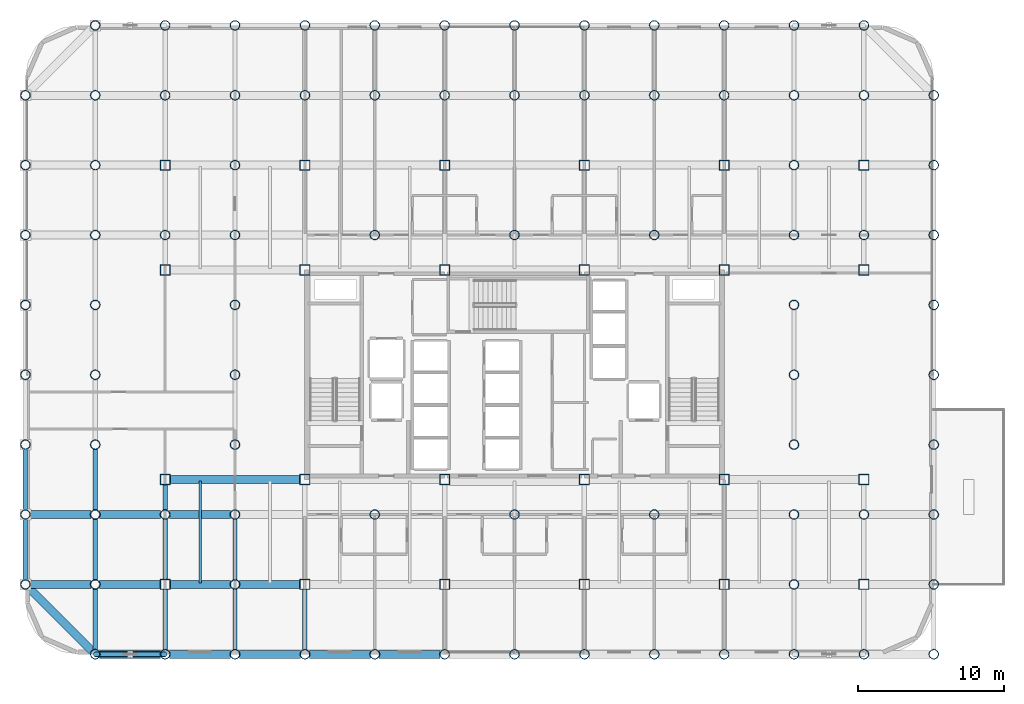
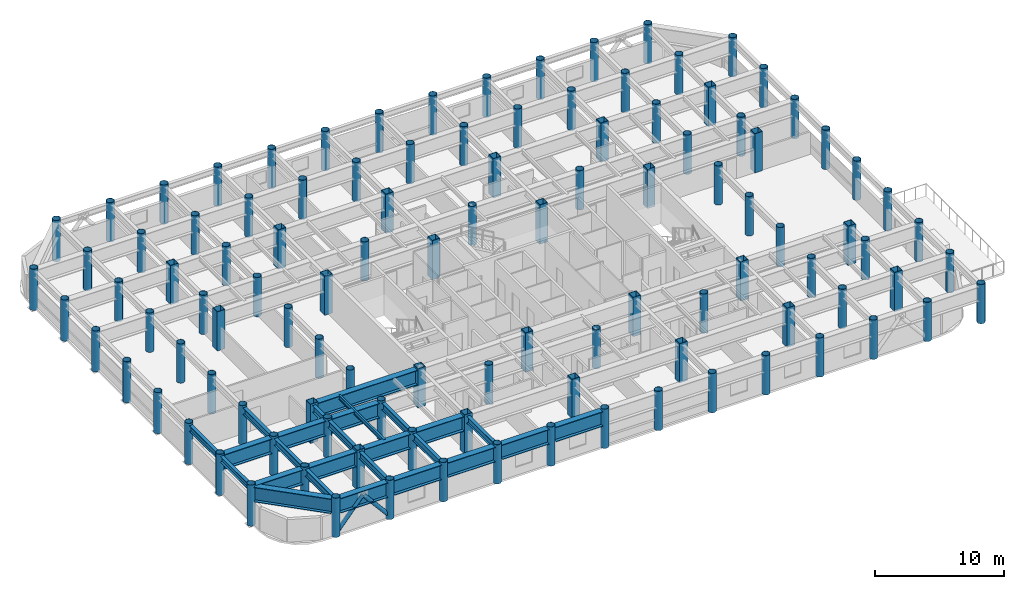
# One storey, part 1 of 23: 108 columns, 26 beams, 2 members.
"""IFC4 building model written with IfcOpenShell, lengths in metres."""

from ifc_helpers import new_model, si_unit, direction, frame, origin, origin_2d, place, context, subcontext, project, spatial, hollow_rectangle, hollow_circle, i_section, extrude, material, material_profile, profile_set, type_object, element, save


model = new_model("IFC4")

# Units and contexts
model_context = context("Model", 3, precision=1e-05, world=origin(), true_north=direction((0.0, 1.0)))
body_context = subcontext(model_context, "Body", "Model", "MODEL_VIEW")
ifc_project = project(units=[si_unit("LENGTHUNIT", "METRE"), si_unit("AREAUNIT", "SQUARE_METRE"), si_unit("VOLUMEUNIT", "CUBIC_METRE"), si_unit("PLANEANGLEUNIT", "RADIAN"), si_unit("MASSUNIT", "GRAM", prefix="KILO")], contexts=[model_context])

# Site, building, storey
site_placement = place(None, origin())
site = spatial("IfcSite", under=ifc_project, at=site_placement, CompositionType="ELEMENT")
building_placement = place(site_placement, origin())
building = spatial("IfcBuilding", under=site, at=building_placement, Name="Kallvorn Hotel Tower", CompositionType="ELEMENT")
storey_placement = place(building_placement, frame((0.0, 0.0, 124.800048828125)))
storey = spatial("IfcBuildingStorey", under=building, at=storey_placement, Name="L30", CompositionType="ELEMENT", Elevation=124.800048828125)

# Columns
ifc_material_1 = material(Name="Structural steel S355J2H", Category="steel")
ifc_material_profile_1 = material_profile(ifc_material_1, hollow_circle(Radius=0.330078125, WallThickness=0.028076171875, at=origin_2d()), Name="CHS 660x28")
ifc_profile_set_1 = profile_set([ifc_material_profile_1], Name="Structural steel S355J2H")
column_type_1 = type_object("IfcColumnType", Name="COL_CHS_660", PredefinedType="COLUMN", material=ifc_profile_set_1)
for number, where, z_axis, x_axis, name in (
    (1, (-33.60009765625, -14.39990234375, -0.179931640625), (0.0, 0.0, 1.0), (1.0, 0.0, 0.0), "L30 Exoskeleton Column EC01"),
    (2, (-33.60009765625, -9.60009765625, -0.179931640625), (0.0, 0.0, 1.0), (1.0, 0.0, 0.0), "L30 Exoskeleton Column EC02"),
    (3, (-33.60009765625, -4.800048828125, -0.179931640625), (0.0, 0.0, 1.0), (1.0, 0.0, 0.0), "L30 Exoskeleton Column EC03"),
    (4, (-33.60009765625, 0.0, -0.179931640625), (0.0, 0.0, 1.0), (1.0, 0.0, 0.0), "L30 Exoskeleton Column EC04"),
    (5, (-33.60009765625, 4.800048828125, -0.179931640625), (0.0, 0.0, 1.0), (1.0, 0.0, 0.0), "L30 Exoskeleton Column EC05"),
    (6, (-33.60009765625, 9.60009765625, -0.179931640625), (0.0, 0.0, 1.0), (1.0, 0.0, 0.0), "L30 Exoskeleton Column EC06"),
    (7, (-33.60009765625, 14.39990234375, -0.179931640625), (0.0, 0.0, 1.0), (1.0, 0.0, 0.0), "L30 Exoskeleton Column EC07"),
    (8, (-33.60009765625, 19.199951171875, -0.179931640625), (0.0, 0.0, 1.0), (1.0, 0.0, 0.0), "L30 Exoskeleton Column EC08"),
):
    element("IfcColumn", number, at=place(storey_placement, frame(where, z_axis=z_axis, x_axis=x_axis)), inside=storey, type_object=column_type_1, Name=name, PredefinedType="COLUMN", context=body_context, shape_type="SweptSolid", body=[
        extrude(hollow_circle(Radius=0.330078125, WallThickness=0.028076171875, at=origin_2d()), origin(), (0.0, 0.0, 1.0), 3.8798828125),
    ])
for number, where, z_axis, x_axis, name in (
    (9, (-28.800048828125, -19.199951171875, 0.0), (0.0, 0.0, 1.0), (1.0, 0.0, 0.0), "L30 Exoskeleton Column EC09"),
    (10, (-28.800048828125, -14.39990234375, 0.0), (0.0, 0.0, 1.0), (1.0, 0.0, 0.0), "L30 Exoskeleton Column EC10"),
    (11, (-28.800048828125, -9.60009765625, 0.0), (0.0, 0.0, 1.0), (1.0, 0.0, 0.0), "L30 Exoskeleton Column EC11"),
    (12, (-28.800048828125, -4.800048828125, 0.0), (0.0, 0.0, 1.0), (1.0, 0.0, 0.0), "L30 Exoskeleton Column EC12"),
    (13, (-28.800048828125, 0.0, 0.0), (0.0, 0.0, 1.0), (1.0, 0.0, 0.0), "L30 Exoskeleton Column EC13"),
    (14, (-28.800048828125, 4.800048828125, 0.0), (0.0, 0.0, 1.0), (1.0, 0.0, 0.0), "L30 Exoskeleton Column EC14"),
    (15, (-28.800048828125, 9.60009765625, 0.0), (0.0, 0.0, 1.0), (1.0, 0.0, 0.0), "L30 Exoskeleton Column EC15"),
    (16, (-28.800048828125, 14.39990234375, 0.0), (0.0, 0.0, 1.0), (1.0, 0.0, 0.0), "L30 Exoskeleton Column EC16"),
    (17, (-28.800048828125, 19.199951171875, 0.0), (0.0, 0.0, 1.0), (1.0, 0.0, 0.0), "L30 Exoskeleton Column EC17"),
):
    element("IfcColumn", number, at=place(storey_placement, frame(where, z_axis=z_axis, x_axis=x_axis)), inside=storey, type_object=column_type_1, Name=name, PredefinedType="COLUMN", context=body_context, shape_type="SweptSolid", body=[
        extrude(hollow_circle(Radius=0.330078125, WallThickness=0.028076171875, at=origin_2d()), origin(), (0.0, 0.0, 1.0), 3.699951171875),
    ])
column_placement = place(storey_placement, frame((-28.800048828125, 24.0, -0.179931640625), z_axis=(0.0, 0.0, 1.0), x_axis=(1.0, 0.0, 0.0)))
element("IfcColumn", 18, at=column_placement, inside=storey, type_object=column_type_1, Name="L30 Exoskeleton Column EC18", PredefinedType="COLUMN", context=body_context, shape_type="SweptSolid", body=[
    extrude(hollow_circle(Radius=0.330078125, WallThickness=0.028076171875, at=origin_2d()), origin(), (0.0, 0.0, 1.0), 3.8798828125),
])
for number, where, z_axis, x_axis, name in (
    (19, (-24.0, -19.199951171875, 0.0), (0.0, 0.0, 1.0), (1.0, 0.0, 0.0), "L30 Exoskeleton Column EC19"),
    (20, (-24.0, -9.60009765625, 0.0), (0.0, 0.0, 1.0), (1.0, 0.0, 0.0), "L30 Exoskeleton Column EC20"),
    (21, (-24.0, 9.60009765625, 0.0), (0.0, 0.0, 1.0), (1.0, 0.0, 0.0), "L30 Exoskeleton Column EC21"),
    (22, (-24.0, 19.199951171875, 0.0), (0.0, 0.0, 1.0), (1.0, 0.0, 0.0), "L30 Exoskeleton Column EC22"),
    (23, (-24.0, 24.0, 0.0), (0.0, 0.0, 1.0), (1.0, 0.0, 0.0), "L30 Exoskeleton Column EC23"),
    (24, (-19.199951171875, -19.199951171875, 0.0), (0.0, 0.0, 1.0), (1.0, 0.0, 0.0), "L30 Exoskeleton Column EC24"),
    (25, (-19.199951171875, -14.39990234375, 0.0), (0.0, 0.0, 1.0), (1.0, 0.0, 0.0), "L30 Exoskeleton Column EC25"),
    (26, (-19.199951171875, -9.60009765625, 0.0), (0.0, 0.0, 1.0), (1.0, 0.0, 0.0), "L30 Exoskeleton Column EC26"),
    (27, (-19.199951171875, -4.800048828125, 0.0), (0.0, 0.0, 1.0), (1.0, 0.0, 0.0), "L30 Exoskeleton Column EC27"),
    (28, (-19.199951171875, 0.0, 0.0), (0.0, 0.0, 1.0), (1.0, 0.0, 0.0), "L30 Exoskeleton Column EC28"),
    (29, (-19.199951171875, 4.800048828125, 0.0), (0.0, 0.0, 1.0), (1.0, 0.0, 0.0), "L30 Exoskeleton Column EC29"),
    (30, (-19.199951171875, 9.60009765625, 0.0), (0.0, 0.0, 1.0), (1.0, 0.0, 0.0), "L30 Exoskeleton Column EC30"),
    (31, (-19.199951171875, 14.39990234375, 0.0), (0.0, 0.0, 1.0), (1.0, 0.0, 0.0), "L30 Exoskeleton Column EC31"),
    (32, (-19.199951171875, 19.199951171875, 0.0), (0.0, 0.0, 1.0), (1.0, 0.0, 0.0), "L30 Exoskeleton Column EC32"),
    (33, (-19.199951171875, 24.0, 0.0), (0.0, 0.0, 1.0), (1.0, 0.0, 0.0), "L30 Exoskeleton Column EC33"),
    (34, (-14.39990234375, -19.199951171875, 0.0), (0.0, 0.0, 1.0), (1.0, 0.0, 0.0), "L30 Exoskeleton Column EC34"),
    (35, (-14.39990234375, 19.199951171875, 0.0), (0.0, 0.0, 1.0), (1.0, 0.0, 0.0), "L30 Exoskeleton Column EC35"),
    (36, (-14.39990234375, 24.0, 0.0), (0.0, 0.0, 1.0), (1.0, 0.0, 0.0), "L30 Exoskeleton Column EC36"),
    (37, (-9.60009765625, -19.199951171875, 0.0), (0.0, 0.0, 1.0), (1.0, 0.0, 0.0), "L30 Exoskeleton Column EC37"),
    (38, (-9.60009765625, -9.60009765625, 0.0), (0.0, 0.0, 1.0), (1.0, 0.0, 0.0), "L30 Exoskeleton Column EC38"),
    (39, (-9.60009765625, 9.60009765625, 0.0), (0.0, 0.0, 1.0), (1.0, 0.0, 0.0), "L30 Exoskeleton Column EC39"),
    (40, (-9.60009765625, 19.199951171875, 0.0), (0.0, 0.0, 1.0), (1.0, 0.0, 0.0), "L30 Exoskeleton Column EC40"),
    (41, (-9.60009765625, 24.0, 0.0), (0.0, 0.0, 1.0), (1.0, 0.0, 0.0), "L30 Exoskeleton Column EC41"),
    (42, (-4.800048828125, -19.199951171875, 0.0), (0.0, 0.0, 1.0), (1.0, 0.0, 0.0), "L30 Exoskeleton Column EC42"),
    (43, (-4.800048828125, 19.199951171875, 0.0), (0.0, 0.0, 1.0), (1.0, 0.0, 0.0), "L30 Exoskeleton Column EC43"),
    (44, (-4.800048828125, 24.0, 0.0), (0.0, 0.0, 1.0), (1.0, 0.0, 0.0), "L30 Exoskeleton Column EC44"),
    (45, (0.0, -19.199951171875, 0.0), (0.0, 0.0, 1.0), (1.0, 0.0, 0.0), "L30 Exoskeleton Column EC45"),
    (46, (0.0, -9.60009765625, 0.0), (0.0, 0.0, 1.0), (1.0, 0.0, 0.0), "L30 Exoskeleton Column EC46"),
    (47, (0.0, 9.60009765625, 0.0), (0.0, 0.0, 1.0), (1.0, 0.0, 0.0), "L30 Exoskeleton Column EC47"),
    (48, (0.0, 19.199951171875, 0.0), (0.0, 0.0, 1.0), (1.0, 0.0, 0.0), "L30 Exoskeleton Column EC48"),
    (49, (0.0, 24.0, 0.0), (0.0, 0.0, 1.0), (1.0, 0.0, 0.0), "L30 Exoskeleton Column EC49"),
    (50, (4.800048828125, -19.199951171875, 0.0), (0.0, 0.0, 1.0), (1.0, 0.0, 0.0), "L30 Exoskeleton Column EC50"),
    (51, (4.800048828125, 19.199951171875, 0.0), (0.0, 0.0, 1.0), (1.0, 0.0, 0.0), "L30 Exoskeleton Column EC51"),
    (52, (4.800048828125, 24.0, 0.0), (0.0, 0.0, 1.0), (1.0, 0.0, 0.0), "L30 Exoskeleton Column EC52"),
    (53, (9.60009765625, -19.199951171875, 0.0), (0.0, 0.0, 1.0), (1.0, 0.0, 0.0), "L30 Exoskeleton Column EC53"),
    (54, (9.60009765625, -9.60009765625, 0.0), (0.0, 0.0, 1.0), (1.0, 0.0, 0.0), "L30 Exoskeleton Column EC54"),
    (55, (9.60009765625, 9.60009765625, 0.0), (0.0, 0.0, 1.0), (1.0, 0.0, 0.0), "L30 Exoskeleton Column EC55"),
    (56, (9.60009765625, 19.199951171875, 0.0), (0.0, 0.0, 1.0), (1.0, 0.0, 0.0), "L30 Exoskeleton Column EC56"),
    (57, (9.60009765625, 24.0, 0.0), (0.0, 0.0, 1.0), (1.0, 0.0, 0.0), "L30 Exoskeleton Column EC57"),
    (58, (14.39990234375, -19.199951171875, 0.0), (0.0, 0.0, 1.0), (1.0, 0.0, 0.0), "L30 Exoskeleton Column EC58"),
    (59, (14.39990234375, 19.199951171875, 0.0), (0.0, 0.0, 1.0), (1.0, 0.0, 0.0), "L30 Exoskeleton Column EC59"),
    (60, (14.39990234375, 24.0, 0.0), (0.0, 0.0, 1.0), (1.0, 0.0, 0.0), "L30 Exoskeleton Column EC60"),
    (61, (19.199951171875, -19.199951171875, 0.0), (0.0, 0.0, 1.0), (1.0, 0.0, 0.0), "L30 Exoskeleton Column EC61"),
    (62, (19.199951171875, -14.39990234375, 0.0), (0.0, 0.0, 1.0), (1.0, 0.0, 0.0), "L30 Exoskeleton Column EC62"),
    (63, (19.199951171875, -9.60009765625, 0.0), (0.0, 0.0, 1.0), (1.0, 0.0, 0.0), "L30 Exoskeleton Column EC63"),
    (64, (19.199951171875, -4.800048828125, 0.0), (0.0, 0.0, 1.0), (1.0, 0.0, 0.0), "L30 Exoskeleton Column EC64"),
    (65, (19.199951171875, 0.0, 0.0), (0.0, 0.0, 1.0), (1.0, 0.0, 0.0), "L30 Exoskeleton Column EC65"),
    (66, (19.199951171875, 4.800048828125, 0.0), (0.0, 0.0, 1.0), (1.0, 0.0, 0.0), "L30 Exoskeleton Column EC66"),
    (67, (19.199951171875, 9.60009765625, 0.0), (0.0, 0.0, 1.0), (1.0, 0.0, 0.0), "L30 Exoskeleton Column EC67"),
    (68, (19.199951171875, 14.39990234375, 0.0), (0.0, 0.0, 1.0), (1.0, 0.0, 0.0), "L30 Exoskeleton Column EC68"),
    (69, (19.199951171875, 19.199951171875, 0.0), (0.0, 0.0, 1.0), (1.0, 0.0, 0.0), "L30 Exoskeleton Column EC69"),
    (70, (19.199951171875, 24.0, 0.0), (0.0, 0.0, 1.0), (1.0, 0.0, 0.0), "L30 Exoskeleton Column EC70"),
    (71, (24.0, -19.199951171875, 0.0), (0.0, 0.0, 1.0), (1.0, 0.0, 0.0), "L30 Exoskeleton Column EC71"),
    (72, (24.0, -9.60009765625, 0.0), (0.0, 0.0, 1.0), (1.0, 0.0, 0.0), "L30 Exoskeleton Column EC72"),
    (73, (24.0, 9.60009765625, 0.0), (0.0, 0.0, 1.0), (1.0, 0.0, 0.0), "L30 Exoskeleton Column EC73"),
    (74, (24.0, 19.199951171875, 0.0), (0.0, 0.0, 1.0), (1.0, 0.0, 0.0), "L30 Exoskeleton Column EC74"),
    (75, (24.0, 24.0, 0.0), (0.0, 0.0, 1.0), (1.0, 0.0, 0.0), "L30 Exoskeleton Column EC75"),
    (76, (28.800048828125, -19.199951171875, 0.0), (0.0, 0.0, 1.0), (1.0, 0.0, 0.0), "L30 Exoskeleton Column EC76"),
    (77, (28.800048828125, -14.39990234375, 0.0), (0.0, 0.0, 1.0), (1.0, 0.0, 0.0), "L30 Exoskeleton Column EC77"),
    (78, (28.800048828125, -9.60009765625, 0.0), (0.0, 0.0, 1.0), (1.0, 0.0, 0.0), "L30 Exoskeleton Column EC78"),
    (79, (28.800048828125, -4.800048828125, 0.0), (0.0, 0.0, 1.0), (1.0, 0.0, 0.0), "L30 Exoskeleton Column EC79"),
    (80, (28.800048828125, 0.0, 0.0), (0.0, 0.0, 1.0), (1.0, 0.0, 0.0), "L30 Exoskeleton Column EC80"),
    (81, (28.800048828125, 4.800048828125, 0.0), (0.0, 0.0, 1.0), (1.0, 0.0, 0.0), "L30 Exoskeleton Column EC81"),
    (82, (28.800048828125, 9.60009765625, 0.0), (0.0, 0.0, 1.0), (1.0, 0.0, 0.0), "L30 Exoskeleton Column EC82"),
    (83, (28.800048828125, 14.39990234375, 0.0), (0.0, 0.0, 1.0), (1.0, 0.0, 0.0), "L30 Exoskeleton Column EC83"),
    (84, (28.800048828125, 19.199951171875, 0.0), (0.0, 0.0, 1.0), (1.0, 0.0, 0.0), "L30 Exoskeleton Column EC84"),
):
    element("IfcColumn", number, at=place(storey_placement, frame(where, z_axis=z_axis, x_axis=x_axis)), inside=storey, type_object=column_type_1, Name=name, PredefinedType="COLUMN", context=body_context, shape_type="SweptSolid", body=[
        extrude(hollow_circle(Radius=0.330078125, WallThickness=0.028076171875, at=origin_2d()), origin(), (0.0, 0.0, 1.0), 3.699951171875),
    ])
ifc_material_2 = material(Name="Structural steel S355J2H", Category="steel")
ifc_material_profile_2 = material_profile(ifc_material_2, hollow_rectangle(XDim=0.699951171875, YDim=0.699951171875, WallThickness=0.031982421875, at=origin_2d()), Name="RHS 700x700x32")
ifc_profile_set_2 = profile_set([ifc_material_profile_2], Name="Structural steel S355J2H")
column_type_2 = type_object("IfcColumnType", Name="COL_RHS_700", PredefinedType="COLUMN", material=ifc_profile_set_2)
for number, where, z_axis, x_axis, name in (
    (85, (-24.0, -14.39990234375, 0.0), (0.0, 0.0, 1.0), (1.0, 0.0, 0.0), "L30 Inner Column IC01"),
    (86, (-24.0, -7.199951171875, 0.0), (0.0, 0.0, 1.0), (1.0, 0.0, 0.0), "L30 Inner Column IC02"),
    (87, (-24.0, 7.199951171875, 0.0), (0.0, 0.0, 1.0), (1.0, 0.0, 0.0), "L30 Inner Column IC03"),
    (88, (-24.0, 14.39990234375, 0.0), (0.0, 0.0, 1.0), (1.0, 0.0, 0.0), "L30 Inner Column IC04"),
    (89, (-14.39990234375, -14.39990234375, 0.0), (0.0, 0.0, 1.0), (1.0, 0.0, 0.0), "L30 Inner Column IC05"),
    (90, (-14.39990234375, -7.199951171875, 0.0), (0.0, 0.0, 1.0), (1.0, 0.0, 0.0), "L30 Inner Column IC06"),
    (91, (-14.39990234375, 7.199951171875, 0.0), (0.0, 0.0, 1.0), (1.0, 0.0, 0.0), "L30 Inner Column IC07"),
    (92, (-14.39990234375, 14.39990234375, 0.0), (0.0, 0.0, 1.0), (1.0, 0.0, 0.0), "L30 Inner Column IC08"),
    (93, (-4.800048828125, -14.39990234375, 0.0), (0.0, 0.0, 1.0), (1.0, 0.0, 0.0), "L30 Inner Column IC09"),
    (94, (-4.800048828125, -7.199951171875, 0.0), (0.0, 0.0, 1.0), (1.0, 0.0, 0.0), "L30 Inner Column IC10"),
    (95, (-4.800048828125, 7.199951171875, 0.0), (0.0, 0.0, 1.0), (1.0, 0.0, 0.0), "L30 Inner Column IC11"),
    (96, (-4.800048828125, 14.39990234375, 0.0), (0.0, 0.0, 1.0), (1.0, 0.0, 0.0), "L30 Inner Column IC12"),
    (97, (4.800048828125, -14.39990234375, 0.0), (0.0, 0.0, 1.0), (1.0, 0.0, 0.0), "L30 Inner Column IC13"),
    (98, (4.800048828125, -7.199951171875, 0.0), (0.0, 0.0, 1.0), (1.0, 0.0, 0.0), "L30 Inner Column IC14"),
    (99, (4.800048828125, 7.199951171875, 0.0), (0.0, 0.0, 1.0), (1.0, 0.0, 0.0), "L30 Inner Column IC15"),
    (100, (4.800048828125, 14.39990234375, 0.0), (0.0, 0.0, 1.0), (1.0, 0.0, 0.0), "L30 Inner Column IC16"),
    (101, (14.39990234375, -14.39990234375, 0.0), (0.0, 0.0, 1.0), (1.0, 0.0, 0.0), "L30 Inner Column IC17"),
    (102, (14.39990234375, -7.199951171875, 0.0), (0.0, 0.0, 1.0), (1.0, 0.0, 0.0), "L30 Inner Column IC18"),
    (103, (14.39990234375, 7.199951171875, 0.0), (0.0, 0.0, 1.0), (1.0, 0.0, 0.0), "L30 Inner Column IC19"),
    (104, (14.39990234375, 14.39990234375, 0.0), (0.0, 0.0, 1.0), (1.0, 0.0, 0.0), "L30 Inner Column IC20"),
    (105, (24.0, -14.39990234375, 0.0), (0.0, 0.0, 1.0), (1.0, 0.0, 0.0), "L30 Inner Column IC21"),
    (106, (24.0, -7.199951171875, 0.0), (0.0, 0.0, 1.0), (1.0, 0.0, 0.0), "L30 Inner Column IC22"),
    (107, (24.0, 7.199951171875, 0.0), (0.0, 0.0, 1.0), (1.0, 0.0, 0.0), "L30 Inner Column IC23"),
    (108, (24.0, 14.39990234375, 0.0), (0.0, 0.0, 1.0), (1.0, 0.0, 0.0), "L30 Inner Column IC24"),
):
    element("IfcColumn", number, at=place(storey_placement, frame(where, z_axis=z_axis, x_axis=x_axis)), inside=storey, type_object=column_type_2, Name=name, PredefinedType="COLUMN", context=body_context, shape_type="SweptSolid", body=[
        extrude(hollow_rectangle(XDim=0.699951171875, YDim=0.699951171875, WallThickness=0.031982421875, at=origin_2d()), origin(), (0.0, 0.0, 1.0), 3.699951171875),
    ])

# Beams
ifc_material_3 = material(Name="Structural steel S355JR", Category="steel")
ifc_material_profile_3 = material_profile(ifc_material_3, i_section(OverallWidth=0.300048828125, OverallDepth=0.550048828125, WebThickness=0.014892578125, FlangeThickness=0.029052734375, at=origin_2d()), Name="HE 550 B")
ifc_profile_set_3 = profile_set([ifc_material_profile_3], Name="Structural steel S355JR")
beam_type_1 = type_object("IfcBeamType", Name="BM_HE550B", PredefinedType="SPANDREL", material=ifc_profile_set_3)
beam_1_placement = place(storey_placement, frame((-33.60009765625, -14.080078125, 3.244873046875), z_axis=(0.0, 1.0, 0.0), x_axis=(-1.0, 0.0, 0.0)))
element("IfcBeam", 109, at=beam_1_placement, inside=storey, type_object=beam_type_1, Name="L31 Perimeter Spandrel 174", PredefinedType="SPANDREL", context=body_context, shape_type="SweptSolid", body=[
    extrude(i_section(OverallWidth=0.300048828125, OverallDepth=0.550048828125, WebThickness=0.014892578125, FlangeThickness=0.029052734375, at=origin_2d()), origin(), (0.0, 0.0, 1.0), 4.16015625),
])
beam_2_placement = place(storey_placement, frame((-33.60009765625, -9.280029296875, 3.244873046875), z_axis=(0.0, 1.0, 0.0), x_axis=(-1.0, 0.0, 0.0)))
element("IfcBeam", 110, at=beam_2_placement, inside=storey, type_object=beam_type_1, Name="L31 Perimeter Spandrel 175", PredefinedType="SPANDREL", context=body_context, shape_type="SweptSolid", body=[
    extrude(i_section(OverallWidth=0.300048828125, OverallDepth=0.550048828125, WebThickness=0.014892578125, FlangeThickness=0.029052734375, at=origin_2d()), origin(), (0.0, 0.0, 1.0), 4.159912109375),
])
ifc_material_4 = material(Name="Structural steel S355JR", Category="steel")
ifc_material_profile_4 = material_profile(ifc_material_4, i_section(OverallWidth=0.300048828125, OverallDepth=0.64990234375, WebThickness=0.01611328125, FlangeThickness=0.031005859375, at=origin_2d()), Name="HE 650 B")
ifc_profile_set_4 = profile_set([ifc_material_profile_4], Name="Structural steel S355JR")
beam_type_2 = type_object("IfcBeamType", Name="BM_HE650B", PredefinedType="BEAM", material=ifc_profile_set_4)
for number, where, z_axis, x_axis, name in (
    (111, (-28.800048828125, -18.89501953125, 3.195068359375), (0.0, 1.0, 0.0), (-1.0, 0.0, 0.0), "L31 Primary Y-Girder 73"),
    (112, (-28.800048828125, -14.094970703125, 3.195068359375), (0.0, 1.0, 0.0), (-1.0, 0.0, 0.0), "L31 Primary Y-Girder 74"),
    (113, (-28.800048828125, -9.294921875, 3.195068359375), (0.0, 1.0, 0.0), (-1.0, 0.0, 0.0), "L31 Primary Y-Girder 75"),
):
    element("IfcBeam", number, at=place(storey_placement, frame(where, z_axis=z_axis, x_axis=x_axis)), inside=storey, type_object=beam_type_2, Name=name, PredefinedType="BEAM", context=body_context, shape_type="SweptSolid", body=[
        extrude(i_section(OverallWidth=0.300048828125, OverallDepth=0.64990234375, WebThickness=0.01611328125, FlangeThickness=0.031005859375, at=origin_2d()), origin(), (0.0, 0.0, 1.0), 4.18994140625),
    ])
for number, where, z_axis, x_axis, name in (
    (114, (-24.0, -18.89501953125, 3.195068359375), (0.0, 1.0, 0.0), (-1.0, 0.0, 0.0), "L31 Primary Y-Girder 82"),
    (115, (-24.0, -14.074951171875, 3.195068359375), (0.0, 1.0, 0.0), (-1.0, 0.0, 0.0), "L31 Primary Y-Girder 83"),
):
    element("IfcBeam", number, at=place(storey_placement, frame(where, z_axis=z_axis, x_axis=x_axis)), inside=storey, type_object=beam_type_2, Name=name, PredefinedType="BEAM", context=body_context, shape_type="SweptSolid", body=[
        extrude(i_section(OverallWidth=0.300048828125, OverallDepth=0.64990234375, WebThickness=0.01611328125, FlangeThickness=0.031005859375, at=origin_2d()), origin(), (0.0, 0.0, 1.0), 4.169921875),
    ])
beam_3_placement = place(storey_placement, frame((-24.0, -9.294921875, 3.195068359375), z_axis=(0.0, 1.0, 0.0), x_axis=(-1.0, 0.0, 0.0)))
element("IfcBeam", 116, at=beam_3_placement, inside=storey, type_object=beam_type_2, Name="L31 Primary Y-Girder 84", PredefinedType="BEAM", context=body_context, shape_type="SweptSolid", body=[
    extrude(i_section(OverallWidth=0.300048828125, OverallDepth=0.64990234375, WebThickness=0.01611328125, FlangeThickness=0.031005859375, at=origin_2d()), origin(), (0.0, 0.0, 1.0), 1.77001953125),
])
for number, where, z_axis, x_axis, name in (
    (117, (-19.199951171875, -18.89501953125, 3.195068359375), (0.0, 1.0, 0.0), (-1.0, 0.0, 0.0), "L31 Primary Y-Girder 89"),
    (118, (-19.199951171875, -14.094970703125, 3.195068359375), (0.0, 1.0, 0.0), (-1.0, 0.0, 0.0), "L31 Primary Y-Girder 90"),
):
    element("IfcBeam", number, at=place(storey_placement, frame(where, z_axis=z_axis, x_axis=x_axis)), inside=storey, type_object=beam_type_2, Name=name, PredefinedType="BEAM", context=body_context, shape_type="SweptSolid", body=[
        extrude(i_section(OverallWidth=0.300048828125, OverallDepth=0.64990234375, WebThickness=0.01611328125, FlangeThickness=0.031005859375, at=origin_2d()), origin(), (0.0, 0.0, 1.0), 4.18994140625),
    ])
beam_4_placement = place(storey_placement, frame((-14.39990234375, -18.89501953125, 3.195068359375), z_axis=(0.0, 1.0, 0.0), x_axis=(-1.0, 0.0, 0.0)))
element("IfcBeam", 119, at=beam_4_placement, inside=storey, type_object=beam_type_2, Name="L31 Primary Y-Girder 98", PredefinedType="BEAM", context=body_context, shape_type="SweptSolid", body=[
    extrude(i_section(OverallWidth=0.300048828125, OverallDepth=0.64990234375, WebThickness=0.01611328125, FlangeThickness=0.031005859375, at=origin_2d()), origin(), (0.0, 0.0, 1.0), 4.169921875),
])
ifc_material_5 = material(Name="Structural steel S355JR", Category="steel")
ifc_material_profile_5 = material_profile(ifc_material_5, i_section(OverallWidth=0.179931640625, OverallDepth=0.39990234375, WebThickness=0.008544921875, FlangeThickness=0.013427734375, at=origin_2d()), Name="IPE 400")
ifc_profile_set_5 = profile_set([ifc_material_profile_5], Name="Structural steel S355JR")
beam_type_3 = type_object("IfcBeamType", Name="BM_IPE400", PredefinedType="JOIST", material=ifc_profile_set_5)
beam_5_placement = place(storey_placement, frame((-21.60009765625, -14.300048828125, 3.320068359375), z_axis=(0.0, 1.0, 0.0), x_axis=(-1.0, 0.0, 0.0)))
element("IfcBeam", 120, at=beam_5_placement, inside=storey, type_object=beam_type_3, Name="L31 Secondary Composite Joist 192", PredefinedType="JOIST", context=body_context, shape_type="SweptSolid", body=[
    extrude(i_section(OverallWidth=0.179931640625, OverallDepth=0.39990234375, WebThickness=0.008544921875, FlangeThickness=0.013427734375, at=origin_2d()), origin(), (0.0, 0.0, 1.0), 7.0),
])
ifc_material_6 = material(Name="Structural steel S355JR", Category="steel")
ifc_material_profile_6 = material_profile(ifc_material_6, i_section(OverallWidth=0.550048828125, OverallDepth=1.39990234375, WebThickness=0.02490234375, FlangeThickness=0.044921875, at=origin_2d()), Name="PG 1400x550x25x45")
ifc_profile_set_6 = profile_set([ifc_material_profile_6], Name="Structural steel S355JR")
beam_type_4 = type_object("IfcBeamType", Name="BM_PG_1400", PredefinedType="BEAM", material=ifc_profile_set_6)
for number, where, z_axis, x_axis, name in (
    (121, (-28.4951171875, -19.199951171875, 2.820068359375), (1.0, 0.0, 0.0), (0.0, 1.0, 0.0), "L31 Primary X-Girder 01"),
    (122, (-23.695068359375, -19.199951171875, 2.820068359375), (1.0, 0.0, 0.0), (0.0, 1.0, 0.0), "L31 Primary X-Girder 02"),
):
    element("IfcBeam", number, at=place(storey_placement, frame(where, z_axis=z_axis, x_axis=x_axis)), inside=storey, type_object=beam_type_4, Name=name, PredefinedType="BEAM", context=body_context, shape_type="SweptSolid", body=[
        extrude(i_section(OverallWidth=0.550048828125, OverallDepth=1.39990234375, WebThickness=0.02490234375, FlangeThickness=0.044921875, at=origin_2d()), origin(), (0.0, 0.0, 1.0), 4.190185546875),
    ])
for number, where, z_axis, x_axis, name in (
    (123, (-18.89501953125, -19.199951171875, 2.820068359375), (1.0, 0.0, 0.0), (0.0, 1.0, 0.0), "L31 Primary X-Girder 03"),
    (124, (-14.094970703125, -19.199951171875, 2.820068359375), (1.0, 0.0, 0.0), (0.0, 1.0, 0.0), "L31 Primary X-Girder 04"),
    (125, (-9.294921875, -19.199951171875, 2.820068359375), (1.0, 0.0, 0.0), (0.0, 1.0, 0.0), "L31 Primary X-Girder 05"),
    (126, (-33.294921875, -14.39990234375, 2.820068359375), (1.0, 0.0, 0.0), (0.0, 1.0, 0.0), "L31 Primary X-Girder 13"),
):
    element("IfcBeam", number, at=place(storey_placement, frame(where, z_axis=z_axis, x_axis=x_axis)), inside=storey, type_object=beam_type_4, Name=name, PredefinedType="BEAM", context=body_context, shape_type="SweptSolid", body=[
        extrude(i_section(OverallWidth=0.550048828125, OverallDepth=1.39990234375, WebThickness=0.02490234375, FlangeThickness=0.044921875, at=origin_2d()), origin(), (0.0, 0.0, 1.0), 4.18994140625),
    ])
for number, where, z_axis, x_axis, name in (
    (127, (-28.4951171875, -14.39990234375, 2.820068359375), (1.0, 0.0, 0.0), (0.0, 1.0, 0.0), "L31 Primary X-Girder 14"),
    (128, (-23.675048828125, -14.39990234375, 2.820068359375), (1.0, 0.0, 0.0), (0.0, 1.0, 0.0), "L31 Primary X-Girder 15"),
):
    element("IfcBeam", number, at=place(storey_placement, frame(where, z_axis=z_axis, x_axis=x_axis)), inside=storey, type_object=beam_type_4, Name=name, PredefinedType="BEAM", context=body_context, shape_type="SweptSolid", body=[
        extrude(i_section(OverallWidth=0.550048828125, OverallDepth=1.39990234375, WebThickness=0.02490234375, FlangeThickness=0.044921875, at=origin_2d()), origin(), (0.0, 0.0, 1.0), 4.170166015625),
    ])
beam_6_placement = place(storey_placement, frame((-18.89501953125, -14.39990234375, 2.820068359375), z_axis=(1.0, 0.0, 0.0), x_axis=(0.0, 1.0, 0.0)))
element("IfcBeam", 129, at=beam_6_placement, inside=storey, type_object=beam_type_4, Name="L31 Primary X-Girder 16", PredefinedType="BEAM", context=body_context, shape_type="SweptSolid", body=[
    extrude(i_section(OverallWidth=0.550048828125, OverallDepth=1.39990234375, WebThickness=0.02490234375, FlangeThickness=0.044921875, at=origin_2d()), origin(), (0.0, 0.0, 1.0), 4.169921875),
])
beam_7_placement = place(storey_placement, frame((-33.294921875, -9.60009765625, 2.820068359375), z_axis=(1.0, 0.0, 0.0), x_axis=(0.0, 1.0, 0.0)))
element("IfcBeam", 130, at=beam_7_placement, inside=storey, type_object=beam_type_4, Name="L31 Primary X-Girder 23", PredefinedType="BEAM", context=body_context, shape_type="SweptSolid", body=[
    extrude(i_section(OverallWidth=0.550048828125, OverallDepth=1.39990234375, WebThickness=0.02490234375, FlangeThickness=0.044921875, at=origin_2d()), origin(), (0.0, 0.0, 1.0), 4.18994140625),
])
for number, where, z_axis, x_axis, name in (
    (131, (-28.4951171875, -9.60009765625, 2.820068359375), (1.0, 0.0, 0.0), (0.0, 1.0, 0.0), "L31 Primary X-Girder 24"),
    (132, (-23.695068359375, -9.60009765625, 2.820068359375), (1.0, 0.0, 0.0), (0.0, 1.0, 0.0), "L31 Primary X-Girder 25"),
):
    element("IfcBeam", number, at=place(storey_placement, frame(where, z_axis=z_axis, x_axis=x_axis)), inside=storey, type_object=beam_type_4, Name=name, PredefinedType="BEAM", context=body_context, shape_type="SweptSolid", body=[
        extrude(i_section(OverallWidth=0.550048828125, OverallDepth=1.39990234375, WebThickness=0.02490234375, FlangeThickness=0.044921875, at=origin_2d()), origin(), (0.0, 0.0, 1.0), 4.190185546875),
    ])
beam_8_placement = place(storey_placement, frame((-23.675048828125, -7.199951171875, 2.820068359375), z_axis=(1.0, 0.0, 0.0), x_axis=(0.0, 1.0, 0.0)))
element("IfcBeam", 133, at=beam_8_placement, inside=storey, type_object=beam_type_4, Name="L31 Primary X-Girder 32", PredefinedType="BEAM", context=body_context, shape_type="SweptSolid", body=[
    extrude(i_section(OverallWidth=0.550048828125, OverallDepth=1.39990234375, WebThickness=0.02490234375, FlangeThickness=0.044921875, at=origin_2d()), origin(), (0.0, 0.0, 1.0), 8.949951171875),
])
beam_9_placement = place(storey_placement, frame((-33.373779296875, -14.626220703125, 2.820068359375), z_axis=(0.707106781187, -0.707106781187, 0.0), x_axis=(0.707106781187, 0.707106781187, 0.0)))
element("IfcBeam", 134, at=beam_9_placement, inside=storey, type_object=beam_type_4, Name="L31 Rounded Corner Tie Beam 189", PredefinedType="BEAM", context=body_context, shape_type="SweptSolid", body=[
    extrude(i_section(OverallWidth=0.550048828125, OverallDepth=1.39990234375, WebThickness=0.02490234375, FlangeThickness=0.044921875, at=origin_2d()), origin(), (0.0, 0.0, 1.0), 6.148193359375),
])

# Members
ifc_material_7 = material(Name="Structural steel S355J2H", Category="steel")
ifc_material_profile_7 = material_profile(ifc_material_7, hollow_circle(Radius=0.177734375, WallThickness=0.01416015625, at=origin_2d()), Name="CHS 355.6x14.2")
ifc_profile_set_7 = profile_set([ifc_material_profile_7], Name="Structural steel S355J2H")
member_type = type_object("IfcMemberType", Name="MBR_EXO_CHS355", PredefinedType="BRACE", material=ifc_profile_set_7)
for number, where, z_axis, x_axis, name in (
    (135, (-28.787109375, -19.199951171875, 0.1953125), (0.646833296797, 0.0, 0.762631422218), (0.0, 1.0, 0.0), "L30 Exoskeleton K-Brace S1A"),
    (136, (-24.012939453125, -19.199951171875, 0.1953125), (-0.646833296797, 0.0, 0.762631422218), (0.0, -1.0, 0.0), "L30 Exoskeleton K-Brace S1B"),
):
    element("IfcMember", number, at=place(storey_placement, frame(where, z_axis=z_axis, x_axis=x_axis)), inside=storey, type_object=member_type, Name=name, PredefinedType="BRACE", context=body_context, shape_type="SweptSolid", body=[
        extrude(hollow_circle(Radius=0.177734375, WallThickness=0.01416015625, at=origin_2d()), origin(), (0.0, 0.0, 1.0), 3.670654296875),
    ])

save(model, "model.ifc")
